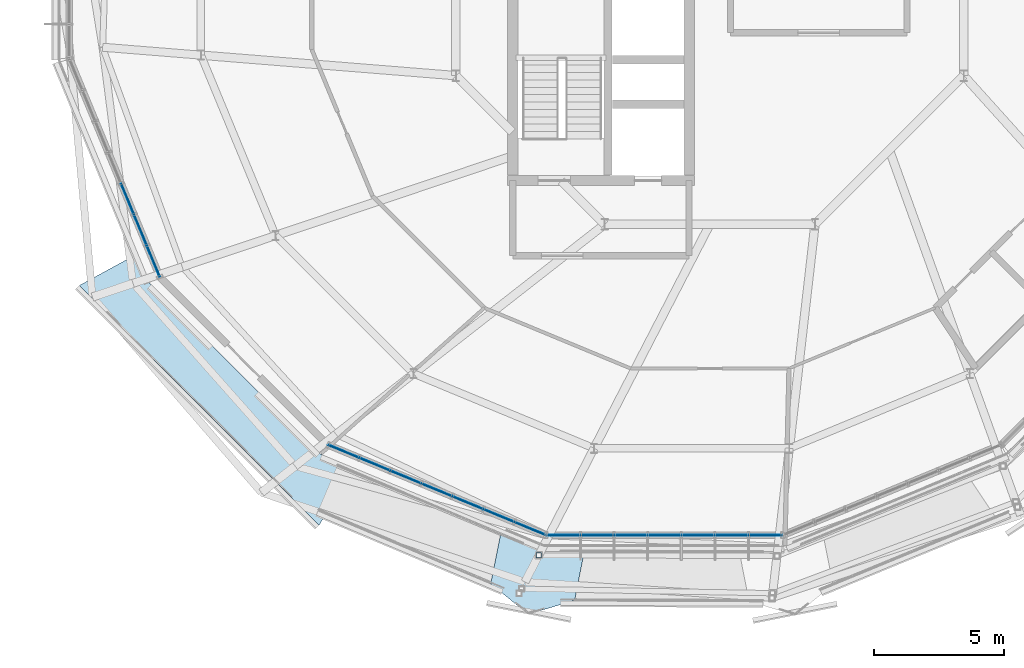
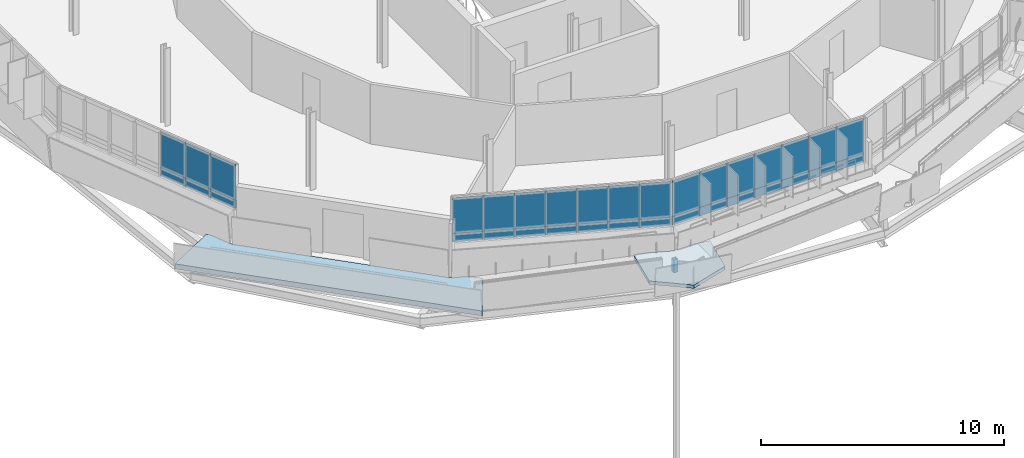
# One storey, part 24 of 38: 34 plates, 2 slabs, 1 member, 4 elements without a shape of their own.
"""IFC4 building model written with IfcOpenShell, lengths in metres."""

from ifc_helpers import new_model, si_unit, derived_unit, direction, frame, origin, origin_2d, place, context, subcontext, project, spatial, polyline, rectangle, hollow_rectangle, outline, extrude, material, layer, layer_set, material_profile, profile_set, type_object, element, aggregate, save


model = new_model("IFC4")

# Units and contexts
model_context = context("Model", 3, precision=1e-05, world=origin(), true_north=direction((0.0, 1.0)))
body_context = subcontext(model_context, "Body", "Model", "MODEL_VIEW")
ifc_project = project(units=[si_unit("LENGTHUNIT", "METRE"), si_unit("AREAUNIT", "SQUARE_METRE"), si_unit("VOLUMEUNIT", "CUBIC_METRE"), si_unit("PLANEANGLEUNIT", "RADIAN"), si_unit("MASSUNIT", "GRAM", prefix="KILO"), derived_unit("THERMALTRANSMITTANCEUNIT", [(si_unit("MASSUNIT", "GRAM", prefix="KILO"), 1), (si_unit("TIMEUNIT", "SECOND"), -3), (si_unit("THERMODYNAMICTEMPERATUREUNIT", "KELVIN"), -1)])], contexts=[model_context])

# Site, building, storey
site_placement = place(None, origin())
site = spatial("IfcSite", under=ifc_project, at=site_placement, CompositionType="ELEMENT")
building_placement = place(site_placement, origin())
building = spatial("IfcBuilding", under=site, at=building_placement, Name="Makaiwela Harbour Ferry Terminal", CompositionType="ELEMENT")
storey_placement = place(building_placement, frame((0.0, 0.0, 17.699951171875)))
storey = spatial("IfcBuildingStorey", under=building, at=storey_placement, Name="L04", CompositionType="ELEMENT", Elevation=17.699951171875)

# Member
ifc_material_1 = material(Name="Steel ASTM A500 Grade C", Category="steel")
ifc_material_profile = material_profile(ifc_material_1, hollow_rectangle(XDim=0.202880859375, YDim=0.202880859375, WallThickness=0.01171875, at=origin_2d()), Name="HSS8X8X1/2")
ifc_profile_set = profile_set([ifc_material_profile], Name="Steel ASTM A500 Grade C")
member_type = type_object("IfcMemberType", Name="STR-PST-HSS8", PredefinedType="POST", material=ifc_profile_set)
member_placement = place(storey_placement, frame((31.20361328125, 45.049072265625, -0.27490234375), z_axis=(0.0, 0.0, 1.0), x_axis=(1.0, 0.0, 0.0)))
element("IfcMember", 1, at=member_placement, inside=storey, type_object=member_type, Name="Exterior Ramp Support Post RP-0057", PredefinedType="POST", context=body_context, shape_type="SweptSolid", body=[
    extrude(hollow_rectangle(XDim=0.202880859375, YDim=0.202880859375, WallThickness=0.01171875, at=origin_2d()), origin(), (0.0, 0.0, 1.0), 0.656982421875),
])

# Curtain wall, plates
ifc_material_2 = material(Name="Marine anodised aluminium 6063-T6", Category="aluminium")
ifc_layer_1 = layer(ifc_material_2, 0.199951171875)
ifc_layer_set_1 = layer_set([ifc_layer_1], Name="Marine anodised aluminium 6063-T6")
curtain_wall_type = type_object("IfcCurtainWallType", Name="ENV-CW-06", PredefinedType="USERDEFINED", material=ifc_layer_set_1)
curtain_wall_1_placement = place(storey_placement, origin())
curtain_wall_1 = element("IfcCurtainWall", 2, at=curtain_wall_1_placement, inside=storey, type_object=curtain_wall_type, Name="Unitised Curtain Wall CWA-051", ObjectType="UNITIZED CURTAIN WALL", PredefinedType="USERDEFINED")
ifc_material_3 = material(Name="Laminated hurricane-impact low-E insulated glazing", Category="glass")
ifc_layer_2 = layer(ifc_material_3, 0.031982421875)
ifc_layer_set_2 = layer_set([ifc_layer_2], Name="Laminated hurricane-impact low-E insulated glazing")
plate_type_1 = type_object("IfcPlateType", Name="CW-PNL-G09", PredefinedType="CURTAIN_PANEL", material=ifc_layer_set_2)
plate_1_placement = place(storey_placement, frame((15.342529296875, 58.790283203125, 1.89990234375), z_axis=(0.0, 0.0, 1.0), x_axis=(0.382683432365, -0.923879532511, 0.0)))
plate_1 = element("IfcPlate", 3, at=plate_1_placement, type_object=plate_type_1, Name="Glazed Vision Panel CWA-051-5G", PredefinedType="CURTAIN_PANEL", context=body_context, shape_type="SweptSolid", body=[
    extrude(rectangle(XDim=1.295654296875, YDim=0.031982421875, at=origin_2d()), origin(), (0.0, 0.0, 1.0), 1.780029296875),
])
plate_2_placement = place(storey_placement, frame((15.83837890625, 57.593017578125, 1.89990234375), z_axis=(0.0, 0.0, 1.0), x_axis=(0.382683432365, -0.923879532511, 0.0)))
plate_2 = element("IfcPlate", 4, at=plate_2_placement, type_object=plate_type_1, Name="Glazed Vision Panel CWA-051-6G", PredefinedType="CURTAIN_PANEL", context=body_context, shape_type="SweptSolid", body=[
    extrude(rectangle(XDim=1.295654296875, YDim=0.031982421875, at=origin_2d()), origin(), (0.0, 0.0, 1.0), 1.780029296875),
])
plate_3_placement = place(storey_placement, frame((16.334228515625, 56.39599609375, 1.89990234375), z_axis=(0.0, 0.0, 1.0), x_axis=(0.382683432365, -0.923879532511, 0.0)))
plate_3 = element("IfcPlate", 5, at=plate_3_placement, type_object=plate_type_1, Name="Glazed Vision Panel CWA-051-7G", PredefinedType="CURTAIN_PANEL", context=body_context, shape_type="SweptSolid", body=[
    extrude(rectangle(XDim=1.295654296875, YDim=0.031982421875, at=origin_2d()), origin(), (0.0, 0.0, 1.0), 1.780029296875),
])

curtain_wall_2_placement = place(storey_placement, origin())
curtain_wall_2 = element("IfcCurtainWall", 6, at=curtain_wall_2_placement, inside=storey, type_object=curtain_wall_type, Name="Unitised Curtain Wall CWA-052", ObjectType="UNITIZED CURTAIN WALL", PredefinedType="USERDEFINED")
plate_4_placement = place(storey_placement, frame((23.676025390625, 49.05419921875, 1.89990234375), z_axis=(0.0, 0.0, 1.0), x_axis=(0.923879532511, -0.382683432365, 0.0)))
plate_4 = element("IfcPlate", 7, at=plate_4_placement, type_object=plate_type_1, Name="Glazed Vision Panel CWA-052-1G", PredefinedType="CURTAIN_PANEL", context=body_context, shape_type="SweptSolid", body=[
    extrude(rectangle(XDim=1.295654296875, YDim=0.031982421875, at=origin_2d()), origin(), (0.0, 0.0, 1.0), 1.780029296875),
])
plate_5_placement = place(storey_placement, frame((24.873046875, 48.558349609375, 1.89990234375), z_axis=(0.0, 0.0, 1.0), x_axis=(0.923879532511, -0.382683432365, 0.0)))
plate_5 = element("IfcPlate", 8, at=plate_5_placement, type_object=plate_type_1, Name="Glazed Vision Panel CWA-052-2G", PredefinedType="CURTAIN_PANEL", context=body_context, shape_type="SweptSolid", body=[
    extrude(rectangle(XDim=1.295654296875, YDim=0.031982421875, at=origin_2d()), origin(), (0.0, 0.0, 1.0), 1.780029296875),
])
plate_6_placement = place(storey_placement, frame((26.0703125, 48.0625, 1.89990234375), z_axis=(0.0, 0.0, 1.0), x_axis=(0.923879532511, -0.382683432365, 0.0)))
plate_6 = element("IfcPlate", 9, at=plate_6_placement, type_object=plate_type_1, Name="Glazed Vision Panel CWA-052-3G", PredefinedType="CURTAIN_PANEL", context=body_context, shape_type="SweptSolid", body=[
    extrude(rectangle(XDim=1.295654296875, YDim=0.031982421875, at=origin_2d()), origin(), (0.0, 0.0, 1.0), 1.780029296875),
])
plate_7_placement = place(storey_placement, frame((27.267333984375, 47.566650390625, 1.89990234375), z_axis=(0.0, 0.0, 1.0), x_axis=(0.923879532511, -0.382683432365, 0.0)))
plate_7 = element("IfcPlate", 10, at=plate_7_placement, type_object=plate_type_1, Name="Glazed Vision Panel CWA-052-4G", PredefinedType="CURTAIN_PANEL", context=body_context, shape_type="SweptSolid", body=[
    extrude(rectangle(XDim=1.295654296875, YDim=0.031982421875, at=origin_2d()), origin(), (0.0, 0.0, 1.0), 1.780029296875),
])
plate_8_placement = place(storey_placement, frame((28.46435546875, 47.07080078125, 1.89990234375), z_axis=(0.0, 0.0, 1.0), x_axis=(0.923879532511, -0.382683432365, 0.0)))
plate_8 = element("IfcPlate", 11, at=plate_8_placement, type_object=plate_type_1, Name="Glazed Vision Panel CWA-052-5G", PredefinedType="CURTAIN_PANEL", context=body_context, shape_type="SweptSolid", body=[
    extrude(rectangle(XDim=1.295654296875, YDim=0.031982421875, at=origin_2d()), origin(), (0.0, 0.0, 1.0), 1.780029296875),
])
plate_9_placement = place(storey_placement, frame((29.66162109375, 46.574951171875, 1.89990234375), z_axis=(0.0, 0.0, 1.0), x_axis=(0.923879532511, -0.382683432365, 0.0)))
plate_9 = element("IfcPlate", 12, at=plate_9_placement, type_object=plate_type_1, Name="Glazed Vision Panel CWA-052-6G", PredefinedType="CURTAIN_PANEL", context=body_context, shape_type="SweptSolid", body=[
    extrude(rectangle(XDim=1.295654296875, YDim=0.031982421875, at=origin_2d()), origin(), (0.0, 0.0, 1.0), 1.780029296875),
])
plate_10_placement = place(storey_placement, frame((30.858642578125, 46.0791015625, 1.89990234375), z_axis=(0.0, 0.0, 1.0), x_axis=(0.923879532511, -0.382683432365, 0.0)))
plate_10 = element("IfcPlate", 13, at=plate_10_placement, type_object=plate_type_1, Name="Glazed Vision Panel CWA-052-7G", PredefinedType="CURTAIN_PANEL", context=body_context, shape_type="SweptSolid", body=[
    extrude(rectangle(XDim=1.295654296875, YDim=0.031982421875, at=origin_2d()), origin(), (0.0, 0.0, 1.0), 1.780029296875),
])

curtain_wall_3_placement = place(storey_placement, origin())
curtain_wall_3 = element("IfcCurtainWall", 14, at=curtain_wall_3_placement, inside=storey, type_object=curtain_wall_type, Name="Unitised Curtain Wall CWA-053", ObjectType="UNITIZED CURTAIN WALL", PredefinedType="USERDEFINED")
plate_11_placement = place(storey_placement, frame((32.162841796875, 45.819580078125, 1.89990234375), z_axis=(0.0, 0.0, 1.0), x_axis=(1.0, 0.0, 0.0)))
plate_11 = element("IfcPlate", 15, at=plate_11_placement, type_object=plate_type_1, Name="Glazed Vision Panel CWA-053-1G", PredefinedType="CURTAIN_PANEL", context=body_context, shape_type="SweptSolid", body=[
    extrude(rectangle(XDim=1.295654296875, YDim=0.031982421875, at=origin_2d()), origin(), (0.0, 0.0, 1.0), 1.780029296875),
])
plate_12_placement = place(storey_placement, frame((33.45849609375, 45.819580078125, 1.89990234375), z_axis=(0.0, 0.0, 1.0), x_axis=(1.0, 0.0, 0.0)))
plate_12 = element("IfcPlate", 16, at=plate_12_placement, type_object=plate_type_1, Name="Glazed Vision Panel CWA-053-2G", PredefinedType="CURTAIN_PANEL", context=body_context, shape_type="SweptSolid", body=[
    extrude(rectangle(XDim=1.295654296875, YDim=0.031982421875, at=origin_2d()), origin(), (0.0, 0.0, 1.0), 1.780029296875),
])
plate_13_placement = place(storey_placement, frame((34.75439453125, 45.819580078125, 1.89990234375), z_axis=(0.0, 0.0, 1.0), x_axis=(1.0, 0.0, 0.0)))
plate_13 = element("IfcPlate", 17, at=plate_13_placement, type_object=plate_type_1, Name="Glazed Vision Panel CWA-053-3G", PredefinedType="CURTAIN_PANEL", context=body_context, shape_type="SweptSolid", body=[
    extrude(rectangle(XDim=1.295654296875, YDim=0.031982421875, at=origin_2d()), origin(), (0.0, 0.0, 1.0), 1.780029296875),
])
plate_14_placement = place(storey_placement, frame((36.050048828125, 45.819580078125, 1.89990234375), z_axis=(0.0, 0.0, 1.0), x_axis=(1.0, 0.0, 0.0)))
plate_14 = element("IfcPlate", 18, at=plate_14_placement, type_object=plate_type_1, Name="Glazed Vision Panel CWA-053-4G", PredefinedType="CURTAIN_PANEL", context=body_context, shape_type="SweptSolid", body=[
    extrude(rectangle(XDim=1.295654296875, YDim=0.031982421875, at=origin_2d()), origin(), (0.0, 0.0, 1.0), 1.780029296875),
])
plate_15_placement = place(storey_placement, frame((37.345703125, 45.819580078125, 1.89990234375), z_axis=(0.0, 0.0, 1.0), x_axis=(1.0, 0.0, 0.0)))
plate_15 = element("IfcPlate", 19, at=plate_15_placement, type_object=plate_type_1, Name="Glazed Vision Panel CWA-053-5G", PredefinedType="CURTAIN_PANEL", context=body_context, shape_type="SweptSolid", body=[
    extrude(rectangle(XDim=1.295654296875, YDim=0.031982421875, at=origin_2d()), origin(), (0.0, 0.0, 1.0), 1.780029296875),
])
plate_16_placement = place(storey_placement, frame((38.6416015625, 45.819580078125, 1.89990234375), z_axis=(0.0, 0.0, 1.0), x_axis=(1.0, 0.0, 0.0)))
plate_16 = element("IfcPlate", 20, at=plate_16_placement, type_object=plate_type_1, Name="Glazed Vision Panel CWA-053-6G", PredefinedType="CURTAIN_PANEL", context=body_context, shape_type="SweptSolid", body=[
    extrude(rectangle(XDim=1.295654296875, YDim=0.031982421875, at=origin_2d()), origin(), (0.0, 0.0, 1.0), 1.780029296875),
])
plate_17_placement = place(storey_placement, frame((39.937255859375, 45.819580078125, 1.89990234375), z_axis=(0.0, 0.0, 1.0), x_axis=(1.0, 0.0, 0.0)))
plate_17 = element("IfcPlate", 21, at=plate_17_placement, type_object=plate_type_1, Name="Glazed Vision Panel CWA-053-7G", PredefinedType="CURTAIN_PANEL", context=body_context, shape_type="SweptSolid", body=[
    extrude(rectangle(XDim=1.295654296875, YDim=0.031982421875, at=origin_2d()), origin(), (0.0, 0.0, 1.0), 1.780029296875),
])

# Plate
ifc_material_4 = material(Name="Insulated marine aluminium spandrel panel", Category="aluminium")
ifc_layer_3 = layer(ifc_material_4, 0.048095703125)
ifc_layer_set_3 = layer_set([ifc_layer_3], Name="Insulated marine aluminium spandrel panel")
plate_type_2 = type_object("IfcPlateType", Name="CW-PNL-S01", PredefinedType="CURTAIN_PANEL", material=ifc_layer_set_3)
plate_18_placement = place(storey_placement, frame((15.342529296875, 58.790283203125, 1.47998046875), z_axis=(0.0, 0.0, 1.0), x_axis=(0.382683432365, -0.923879532511, 0.0)))
plate_18 = element("IfcPlate", 22, at=plate_18_placement, type_object=plate_type_2, Name="Spandrel Panel CWA-051-5S", PredefinedType="CURTAIN_PANEL", context=body_context, shape_type="SweptSolid", body=[
    extrude(rectangle(XDim=1.295654296875, YDim=0.048095703125, at=origin_2d()), origin(), (0.0, 0.0, 1.0), 0.419921875),
])

plate_19_placement = place(storey_placement, frame((15.83837890625, 57.593017578125, 1.47998046875), z_axis=(0.0, 0.0, 1.0), x_axis=(0.382683432365, -0.923879532511, 0.0)))
plate_19 = element("IfcPlate", 23, at=plate_19_placement, type_object=plate_type_2, Name="Spandrel Panel CWA-051-6S", PredefinedType="CURTAIN_PANEL", context=body_context, shape_type="SweptSolid", body=[
    extrude(rectangle(XDim=1.295654296875, YDim=0.048095703125, at=origin_2d()), origin(), (0.0, 0.0, 1.0), 0.419921875),
])

plate_20_placement = place(storey_placement, frame((16.334228515625, 56.39599609375, 1.47998046875), z_axis=(0.0, 0.0, 1.0), x_axis=(0.382683432365, -0.923879532511, 0.0)))
plate_20 = element("IfcPlate", 24, at=plate_20_placement, type_object=plate_type_2, Name="Spandrel Panel CWA-051-7S", PredefinedType="CURTAIN_PANEL", context=body_context, shape_type="SweptSolid", body=[
    extrude(rectangle(XDim=1.295654296875, YDim=0.048095703125, at=origin_2d()), origin(), (0.0, 0.0, 1.0), 0.419921875),
])

aggregate(curtain_wall_1, [plate_18, plate_1, plate_19, plate_2, plate_20, plate_3])

plate_21_placement = place(storey_placement, frame((23.676025390625, 49.05419921875, 1.47998046875), z_axis=(0.0, 0.0, 1.0), x_axis=(0.923879532511, -0.382683432365, 0.0)))
plate_21 = element("IfcPlate", 25, at=plate_21_placement, type_object=plate_type_2, Name="Spandrel Panel CWA-052-1S", PredefinedType="CURTAIN_PANEL", context=body_context, shape_type="SweptSolid", body=[
    extrude(rectangle(XDim=1.295654296875, YDim=0.048095703125, at=origin_2d()), origin(), (0.0, 0.0, 1.0), 0.419921875),
])

plate_22_placement = place(storey_placement, frame((24.873046875, 48.558349609375, 1.47998046875), z_axis=(0.0, 0.0, 1.0), x_axis=(0.923879532511, -0.382683432365, 0.0)))
plate_22 = element("IfcPlate", 26, at=plate_22_placement, type_object=plate_type_2, Name="Spandrel Panel CWA-052-2S", PredefinedType="CURTAIN_PANEL", context=body_context, shape_type="SweptSolid", body=[
    extrude(rectangle(XDim=1.295654296875, YDim=0.048095703125, at=origin_2d()), origin(), (0.0, 0.0, 1.0), 0.419921875),
])

plate_23_placement = place(storey_placement, frame((26.0703125, 48.0625, 1.47998046875), z_axis=(0.0, 0.0, 1.0), x_axis=(0.923879532511, -0.382683432365, 0.0)))
plate_23 = element("IfcPlate", 27, at=plate_23_placement, type_object=plate_type_2, Name="Spandrel Panel CWA-052-3S", PredefinedType="CURTAIN_PANEL", context=body_context, shape_type="SweptSolid", body=[
    extrude(rectangle(XDim=1.295654296875, YDim=0.048095703125, at=origin_2d()), origin(), (0.0, 0.0, 1.0), 0.419921875),
])

plate_24_placement = place(storey_placement, frame((27.267333984375, 47.566650390625, 1.47998046875), z_axis=(0.0, 0.0, 1.0), x_axis=(0.923879532511, -0.382683432365, 0.0)))
plate_24 = element("IfcPlate", 28, at=plate_24_placement, type_object=plate_type_2, Name="Spandrel Panel CWA-052-4S", PredefinedType="CURTAIN_PANEL", context=body_context, shape_type="SweptSolid", body=[
    extrude(rectangle(XDim=1.295654296875, YDim=0.048095703125, at=origin_2d()), origin(), (0.0, 0.0, 1.0), 0.419921875),
])

plate_25_placement = place(storey_placement, frame((28.46435546875, 47.07080078125, 1.47998046875), z_axis=(0.0, 0.0, 1.0), x_axis=(0.923879532511, -0.382683432365, 0.0)))
plate_25 = element("IfcPlate", 29, at=plate_25_placement, type_object=plate_type_2, Name="Spandrel Panel CWA-052-5S", PredefinedType="CURTAIN_PANEL", context=body_context, shape_type="SweptSolid", body=[
    extrude(rectangle(XDim=1.295654296875, YDim=0.048095703125, at=origin_2d()), origin(), (0.0, 0.0, 1.0), 0.419921875),
])

plate_26_placement = place(storey_placement, frame((29.66162109375, 46.574951171875, 1.47998046875), z_axis=(0.0, 0.0, 1.0), x_axis=(0.923879532511, -0.382683432365, 0.0)))
plate_26 = element("IfcPlate", 30, at=plate_26_placement, type_object=plate_type_2, Name="Spandrel Panel CWA-052-6S", PredefinedType="CURTAIN_PANEL", context=body_context, shape_type="SweptSolid", body=[
    extrude(rectangle(XDim=1.295654296875, YDim=0.048095703125, at=origin_2d()), origin(), (0.0, 0.0, 1.0), 0.419921875),
])

plate_27_placement = place(storey_placement, frame((30.858642578125, 46.0791015625, 1.47998046875), z_axis=(0.0, 0.0, 1.0), x_axis=(0.923879532511, -0.382683432365, 0.0)))
plate_27 = element("IfcPlate", 31, at=plate_27_placement, type_object=plate_type_2, Name="Spandrel Panel CWA-052-7S", PredefinedType="CURTAIN_PANEL", context=body_context, shape_type="SweptSolid", body=[
    extrude(rectangle(XDim=1.295654296875, YDim=0.048095703125, at=origin_2d()), origin(), (0.0, 0.0, 1.0), 0.419921875),
])

aggregate(curtain_wall_2, [plate_21, plate_4, plate_22, plate_5, plate_23, plate_6, plate_24, plate_7, plate_25, plate_8, plate_26, plate_9, plate_27, plate_10])

plate_28_placement = place(storey_placement, frame((32.162841796875, 45.819580078125, 1.47998046875), z_axis=(0.0, 0.0, 1.0), x_axis=(1.0, 0.0, 0.0)))
plate_28 = element("IfcPlate", 32, at=plate_28_placement, type_object=plate_type_2, Name="Spandrel Panel CWA-053-1S", PredefinedType="CURTAIN_PANEL", context=body_context, shape_type="SweptSolid", body=[
    extrude(rectangle(XDim=1.295654296875, YDim=0.048095703125, at=origin_2d()), origin(), (0.0, 0.0, 1.0), 0.419921875),
])

plate_29_placement = place(storey_placement, frame((33.45849609375, 45.819580078125, 1.47998046875), z_axis=(0.0, 0.0, 1.0), x_axis=(1.0, 0.0, 0.0)))
plate_29 = element("IfcPlate", 33, at=plate_29_placement, type_object=plate_type_2, Name="Spandrel Panel CWA-053-2S", PredefinedType="CURTAIN_PANEL", context=body_context, shape_type="SweptSolid", body=[
    extrude(rectangle(XDim=1.295654296875, YDim=0.048095703125, at=origin_2d()), origin(), (0.0, 0.0, 1.0), 0.419921875),
])

plate_30_placement = place(storey_placement, frame((34.75439453125, 45.819580078125, 1.47998046875), z_axis=(0.0, 0.0, 1.0), x_axis=(1.0, 0.0, 0.0)))
plate_30 = element("IfcPlate", 34, at=plate_30_placement, type_object=plate_type_2, Name="Spandrel Panel CWA-053-3S", PredefinedType="CURTAIN_PANEL", context=body_context, shape_type="SweptSolid", body=[
    extrude(rectangle(XDim=1.295654296875, YDim=0.048095703125, at=origin_2d()), origin(), (0.0, 0.0, 1.0), 0.419921875),
])

plate_31_placement = place(storey_placement, frame((36.050048828125, 45.819580078125, 1.47998046875), z_axis=(0.0, 0.0, 1.0), x_axis=(1.0, 0.0, 0.0)))
plate_31 = element("IfcPlate", 35, at=plate_31_placement, type_object=plate_type_2, Name="Spandrel Panel CWA-053-4S", PredefinedType="CURTAIN_PANEL", context=body_context, shape_type="SweptSolid", body=[
    extrude(rectangle(XDim=1.295654296875, YDim=0.048095703125, at=origin_2d()), origin(), (0.0, 0.0, 1.0), 0.419921875),
])

plate_32_placement = place(storey_placement, frame((37.345703125, 45.819580078125, 1.47998046875), z_axis=(0.0, 0.0, 1.0), x_axis=(1.0, 0.0, 0.0)))
plate_32 = element("IfcPlate", 36, at=plate_32_placement, type_object=plate_type_2, Name="Spandrel Panel CWA-053-5S", PredefinedType="CURTAIN_PANEL", context=body_context, shape_type="SweptSolid", body=[
    extrude(rectangle(XDim=1.295654296875, YDim=0.048095703125, at=origin_2d()), origin(), (0.0, 0.0, 1.0), 0.419921875),
])

plate_33_placement = place(storey_placement, frame((38.6416015625, 45.819580078125, 1.47998046875), z_axis=(0.0, 0.0, 1.0), x_axis=(1.0, 0.0, 0.0)))
plate_33 = element("IfcPlate", 37, at=plate_33_placement, type_object=plate_type_2, Name="Spandrel Panel CWA-053-6S", PredefinedType="CURTAIN_PANEL", context=body_context, shape_type="SweptSolid", body=[
    extrude(rectangle(XDim=1.295654296875, YDim=0.048095703125, at=origin_2d()), origin(), (0.0, 0.0, 1.0), 0.419921875),
])

plate_34_placement = place(storey_placement, frame((39.937255859375, 45.819580078125, 1.47998046875), z_axis=(0.0, 0.0, 1.0), x_axis=(1.0, 0.0, 0.0)))
plate_34 = element("IfcPlate", 38, at=plate_34_placement, type_object=plate_type_2, Name="Spandrel Panel CWA-053-7S", PredefinedType="CURTAIN_PANEL", context=body_context, shape_type="SweptSolid", body=[
    extrude(rectangle(XDim=1.295654296875, YDim=0.048095703125, at=origin_2d()), origin(), (0.0, 0.0, 1.0), 0.419921875),
])

aggregate(curtain_wall_3, [plate_28, plate_11, plate_29, plate_12, plate_30, plate_13, plate_31, plate_14, plate_32, plate_15, plate_33, plate_16, plate_34, plate_17])

# Ramp, slab
ifc_material_5 = material(Name="Concrete f'c 35 MPa (5000 psi)", Category="concrete")
ramp_type = type_object("IfcRampType", Name="CIR-RMP-ASSY", PredefinedType="STRAIGHT_RUN_RAMP", material=ifc_material_5)
ramp_placement = place(storey_placement, origin())
ramp = element("IfcRamp", 39, at=ramp_placement, inside=storey, type_object=ramp_type, Name="External Coiled Promenade Ramp L04 to L05", PredefinedType="STRAIGHT_RUN_RAMP")
ifc_layer_4 = layer(ifc_material_5, 0.169921875)
ifc_layer_set_4 = layer_set([ifc_layer_4], Name="Concrete f'c 35 MPa (5000 psi)")
slab_type_1 = type_object("IfcSlabType", Name="SLB-LND-170", PredefinedType="LANDING", material=ifc_layer_set_4)
slab_1_placement = place(storey_placement, frame((0.0, 0.0, 0.38720703125)))
slab_1 = element("IfcSlab", 40, at=slab_1_placement, type_object=slab_type_1, Name="Promenade Ramp Landing RMP-COIL-L04-L1", PredefinedType="LANDING", context=body_context, shape_type="SweptSolid", body=[
    extrude(outline(polyline([(32.293212890625, 45.33935546875), (31.30908203125, 45.33935546875), (31.308837890625, 45.33935546875), (31.30859375, 45.33935546875), (31.308349609375, 45.33935546875), (31.30810546875, 45.339599609375), (30.39892578125, 45.716064453125), (29.727783203125, 45.849609375), (29.34912109375, 43.947021484375), (30.7978515625, 42.771728515625), (32.585693359375, 43.302978515625), (32.96435546875, 45.205810546875), (32.293212890625, 45.33935546875)])), origin(), (0.0, 0.0, 1.0), 0.169921875),
])
aggregate(ramp, [slab_1])

# Slab
ifc_layer_5 = layer(ifc_material_5, 0.25)
ifc_layer_set_5 = layer_set([ifc_layer_5], Name="Concrete f'c 35 MPa (5000 psi)")
slab_type_2 = type_object("IfcSlabType", Name="SLB-TER-250", PredefinedType="FLOOR", material=ifc_layer_set_5)
slab_2_placement = place(storey_placement, frame((0.0, 0.0, -0.25)))
element("IfcSlab", 41, at=slab_2_placement, inside=storey, type_object=slab_type_2, Name="Promenade Ramp Balcony Terrace RTER-L04", PredefinedType="FLOOR", context=body_context, shape_type="SweptSolid", body=[
    extrude(outline(polyline([(23.509033203125, 48.643310546875), (22.798828125, 48.9375), (22.798583984375, 48.9375), (22.798583984375, 48.937744140625), (22.79833984375, 48.93798828125), (22.798095703125, 48.93798828125), (16.218017578125, 55.518310546875), (16.218017578125, 55.518310546875), (16.2177734375, 55.5185546875), (16.217529296875, 55.518798828125), (16.217529296875, 55.518798828125), (15.815673828125, 56.489501953125), (15.665771484375, 56.64208984375), (13.478271484375, 55.44775390625), (22.727783203125, 46.1982421875), (23.922119140625, 48.22216796875), (23.509033203125, 48.643310546875)])), origin(), (0.0, 0.0, 1.0), 0.25),
])

save(model, "model.ifc")
